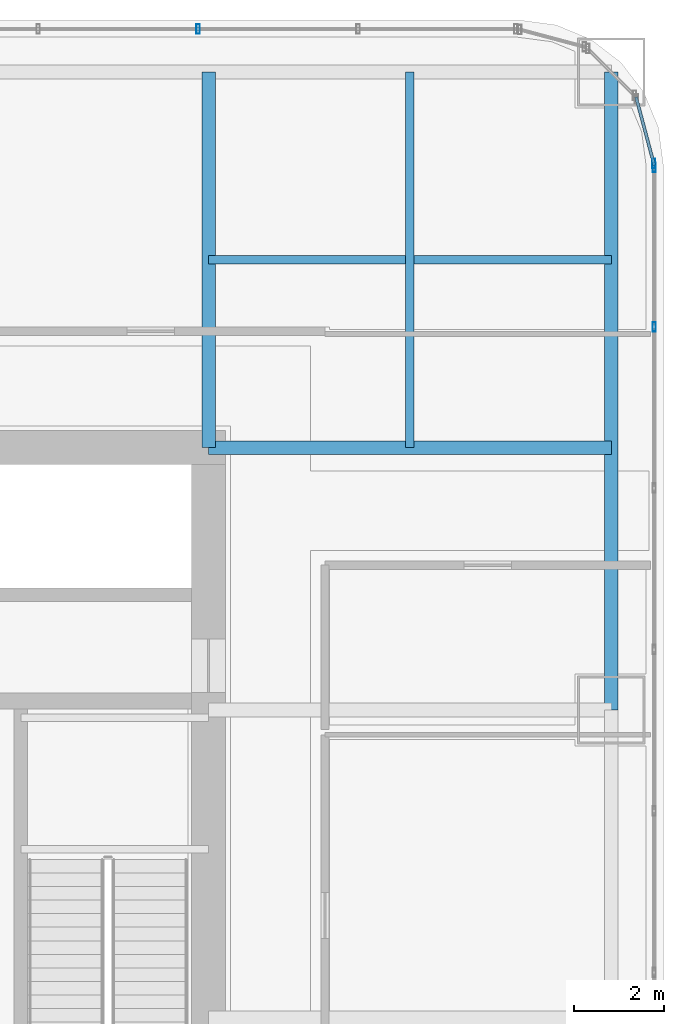
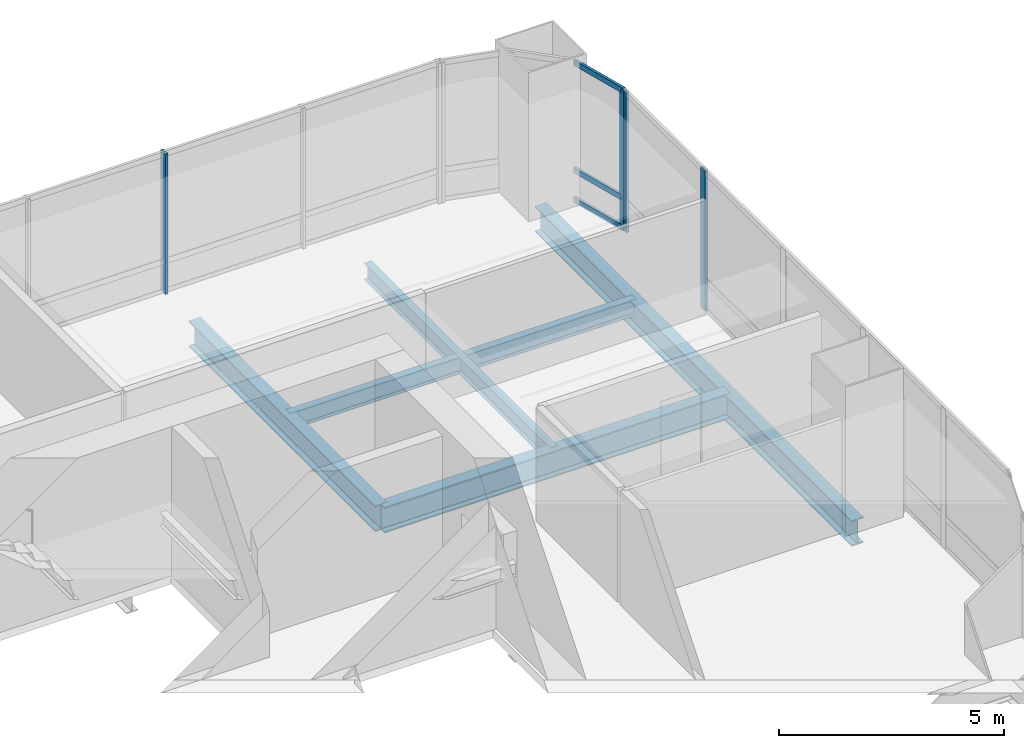
# One storey, part 24 of 35: 7 members, 5 beams, 3 elements without a shape of their own.
"""IFC4 building model written with IfcOpenShell, lengths in metres."""

from ifc_helpers import new_model, si_unit, direction, frame, origin, origin_2d, place, context, subcontext, project, spatial, hollow_rectangle, i_section, extrude, material, material_profile, profile_set, type_object, element, aggregate, save


model = new_model("IFC4")

# Units and contexts
model_context = context("Model", 3, precision=1e-05, world=origin(), true_north=direction((0.0, 1.0)))
body_context = subcontext(model_context, "Body", "Model", "MODEL_VIEW")
ifc_project = project(units=[si_unit("LENGTHUNIT", "METRE"), si_unit("AREAUNIT", "SQUARE_METRE"), si_unit("VOLUMEUNIT", "CUBIC_METRE"), si_unit("PLANEANGLEUNIT", "RADIAN"), si_unit("MASSUNIT", "GRAM", prefix="KILO")], contexts=[model_context])

# Site, building, storey
site_placement = place(None, origin())
site = spatial("IfcSite", under=ifc_project, at=site_placement, CompositionType="ELEMENT")
building_placement = place(site_placement, origin())
building = spatial("IfcBuilding", under=site, at=building_placement, Name="Punatoya Terracotta Tower", CompositionType="ELEMENT")
storey_placement = place(building_placement, frame((0.0, 0.0, 52.5)))
storey = spatial("IfcBuildingStorey", under=building, at=storey_placement, Name="L11", CompositionType="ELEMENT", Elevation=52.5)

# Beams
ifc_material_1 = material(Name="Steel S355", Category="steel")
ifc_material_profile_1 = material_profile(ifc_material_1, i_section(OverallWidth=0.300048828125, OverallDepth=0.699951171875, WebThickness=0.01708984375, FlangeThickness=0.031982421875, FilletRadius=0.01806640625, at=origin_2d()))
ifc_profile_set_1 = profile_set([ifc_material_profile_1], Name="Steel S355")
beam_type_1 = type_object("IfcBeamType", Name="BM-PRI-700", PredefinedType="BEAM", material=ifc_profile_set_1)
beam_1_placement = place(storey_placement, frame((19.10009765625, 3.39990234375, -0.590087890625), z_axis=(0.0, 1.0, 0.0), x_axis=(-1.0, 0.0, 0.0)))
element("IfcBeam", 1, at=beam_1_placement, inside=storey, type_object=beam_type_1, Name="BM-L11-RG-E3", PredefinedType="BEAM", context=body_context, shape_type="SweptSolid", body=[
    extrude(i_section(OverallWidth=0.300048828125, OverallDepth=0.699951171875, WebThickness=0.01708984375, FlangeThickness=0.031982421875, FilletRadius=0.01806640625, at=origin_2d()), origin(), (0.0, 0.0, 1.0), 14.10009765625),
])
beam_2_placement = place(storey_placement, frame((10.199951171875, 9.199951171875, -0.590087890625), z_axis=(1.0, 0.0, 0.0), x_axis=(0.0, 1.0, 0.0)))
element("IfcBeam", 2, at=beam_2_placement, inside=storey, type_object=beam_type_1, Name="BM-L11-PR-EN", PredefinedType="BEAM", context=body_context, shape_type="SweptSolid", body=[
    extrude(i_section(OverallWidth=0.300048828125, OverallDepth=0.699951171875, WebThickness=0.01708984375, FlangeThickness=0.031982421875, FilletRadius=0.01806640625, at=origin_2d()), origin(), (0.0, 0.0, 1.0), 8.900146484375),
])
beam_3_placement = place(storey_placement, frame((10.199951171875, 9.199951171875, -0.590087890625), z_axis=(0.0, 1.0, 0.0), x_axis=(-1.0, 0.0, 0.0)))
element("IfcBeam", 3, at=beam_3_placement, inside=storey, type_object=beam_type_1, Name="BM-L11-PR-N4", PredefinedType="BEAM", context=body_context, shape_type="SweptSolid", body=[
    extrude(i_section(OverallWidth=0.300048828125, OverallDepth=0.699951171875, WebThickness=0.01708984375, FlangeThickness=0.031982421875, FilletRadius=0.01806640625, at=origin_2d()), origin(), (0.0, 0.0, 1.0), 8.300048828125),
])
ifc_material_profile_2 = material_profile(ifc_material_1, i_section(OverallWidth=0.18994140625, OverallDepth=0.449951171875, WebThickness=0.009521484375, FlangeThickness=0.0146484375, FilletRadius=0.01806640625, at=origin_2d()))
ifc_profile_set_2 = profile_set([ifc_material_profile_2], Name="Steel S355")
beam_type_2 = type_object("IfcBeamType", Name="BM-SEC-450", PredefinedType="JOIST", material=ifc_profile_set_2)
beam_4_placement = place(storey_placement, frame((10.199951171875, 13.35009765625, -0.465087890625), z_axis=(1.0, 0.0, 0.0), x_axis=(0.0, 1.0, 0.0)))
element("IfcBeam", 4, at=beam_4_placement, inside=storey, type_object=beam_type_2, Name="BM-L11-SJN-2", PredefinedType="JOIST", context=body_context, shape_type="SweptSolid", body=[
    extrude(i_section(OverallWidth=0.18994140625, OverallDepth=0.449951171875, WebThickness=0.009521484375, FlangeThickness=0.0146484375, FilletRadius=0.01806640625, at=origin_2d()), origin(), (0.0, 0.0, 1.0), 8.900146484375),
])
beam_5_placement = place(storey_placement, frame((14.64990234375, 9.199951171875, -0.465087890625), z_axis=(0.0, 1.0, 0.0), x_axis=(-1.0, 0.0, 0.0)))
element("IfcBeam", 5, at=beam_5_placement, inside=storey, type_object=beam_type_2, Name="BM-L11-SJE-2", PredefinedType="JOIST", context=body_context, shape_type="SweptSolid", body=[
    extrude(i_section(OverallWidth=0.18994140625, OverallDepth=0.449951171875, WebThickness=0.009521484375, FlangeThickness=0.0146484375, FilletRadius=0.01806640625, at=origin_2d()), origin(), (0.0, 0.0, 1.0), 8.300048828125),
])

# Curtain wall, members
ifc_material_2 = material(Name="Aluminium 6063-T6 + Double Low-E Glass", Category="aluminium")
curtain_wall_type = type_object("IfcCurtainWallType", Name="CW-M1", PredefinedType="NOTDEFINED", material=ifc_material_2)
curtain_wall_1_placement = place(storey_placement, origin())
curtain_wall_1 = element("IfcCurtainWall", 6, at=curtain_wall_1_placement, inside=storey, type_object=curtain_wall_type, Name="L11 Curtain Wall CW-L11-E05-1", PredefinedType="NOTDEFINED")
ifc_material_3 = material(Name="Aluminium 6063-T6", Category="aluminium")
ifc_material_profile_3 = material_profile(ifc_material_3, hollow_rectangle(XDim=0.074951171875, YDim=0.2099609375, WallThickness=0.00439453125, at=origin_2d()))
ifc_profile_set_3 = profile_set([ifc_material_profile_3], Name="Aluminium 6063-T6")
member_type_1 = type_object("IfcMemberType", Name="CW-MUL-M1", PredefinedType="MULLION", material=ifc_profile_set_3)
member_1_placement = place(storey_placement, frame((20.050048828125, 11.869384765625, 0.0), z_axis=(0.0, 0.0, 1.0), x_axis=(1.0, 0.0, 0.0)))
member_1 = element("IfcMember", 7, at=member_1_placement, type_object=member_type_1, Name="CW-L11-E05-1 Mullion 09", PredefinedType="MULLION", context=body_context, shape_type="SweptSolid", body=[
    extrude(hollow_rectangle(XDim=0.074951171875, YDim=0.2099609375, WallThickness=0.00439453125, at=origin_2d()), origin(), (0.0, 0.0, 1.0), 3.81005859375),
])
member_2_placement = place(storey_placement, frame((20.050048828125, 15.391845703125, 0.0), z_axis=(0.0, 0.0, 1.0), x_axis=(1.0, 0.0, 0.0)))
member_2 = element("IfcMember", 8, at=member_2_placement, type_object=member_type_1, Name="CW-L11-E05-1 Mullion 10", PredefinedType="MULLION", context=body_context, shape_type="SweptSolid", body=[
    extrude(hollow_rectangle(XDim=0.074951171875, YDim=0.2099609375, WallThickness=0.00439453125, at=origin_2d()), origin(), (0.0, 0.0, 1.0), 3.81005859375),
])
aggregate(curtain_wall_1, [member_1, member_2])

# Curtain wall, member
curtain_wall_2_placement = place(storey_placement, origin())
curtain_wall_2 = element("IfcCurtainWall", 9, at=curtain_wall_2_placement, inside=storey, type_object=curtain_wall_type, Name="L11 Curtain Wall CW-L11-CRN06", PredefinedType="NOTDEFINED")
member_3_placement = place(storey_placement, frame((20.038330078125, 15.48046875, 0.0), z_axis=(0.0, 0.0, 1.0), x_axis=(1.0, 0.0, 0.0)))
member_3 = element("IfcMember", 10, at=member_3_placement, type_object=member_type_1, Name="CW-L11-CRN06 Mullion 00", PredefinedType="MULLION", context=body_context, shape_type="SweptSolid", body=[
    extrude(hollow_rectangle(XDim=0.074951171875, YDim=0.2099609375, WallThickness=0.00439453125, at=origin_2d()), origin(), (0.0, 0.0, 1.0), 3.81005859375),
])

curtain_wall_3_placement = place(storey_placement, origin())
curtain_wall_3 = element("IfcCurtainWall", 11, at=curtain_wall_3_placement, inside=storey, type_object=curtain_wall_type, Name="L11 Curtain Wall CW-L11-N09-1", PredefinedType="NOTDEFINED")
member_4_placement = place(storey_placement, frame((9.968994140625, 18.449951171875, 0.0), z_axis=(0.0, 0.0, 1.0), x_axis=(1.0, 0.0, 0.0)))
member_4 = element("IfcMember", 12, at=member_4_placement, type_object=member_type_1, Name="CW-L11-N09-1 Mullion 02", PredefinedType="MULLION", context=body_context, shape_type="SweptSolid", body=[
    extrude(hollow_rectangle(XDim=0.074951171875, YDim=0.2099609375, WallThickness=0.00439453125, at=origin_2d()), origin(), (0.0, 0.0, 1.0), 3.81005859375),
])
aggregate(curtain_wall_3, [member_4])

# Member
ifc_material_profile_4 = material_profile(ifc_material_3, hollow_rectangle(XDim=0.068115234375, YDim=0.14990234375, WallThickness=0.00390625, at=origin_2d()))
ifc_profile_set_4 = profile_set([ifc_material_profile_4], Name="Aluminium 6063-T6")
member_type_2 = type_object("IfcMemberType", Name="CW-TRN-TYP", PredefinedType="USERDEFINED", material=ifc_profile_set_4)
member_5_placement = place(storey_placement, frame((20.050048828125, 15.43701171875, 0.0400390625), z_axis=(-0.257847112249, 0.966185730957, 0.0), x_axis=(-0.966185730957, -0.257847112249, 0.0)))
member_5 = element("IfcMember", 13, at=member_5_placement, type_object=member_type_2, Name="CW-L11-CRN06 Transom 1", ObjectType="TRANSOM", PredefinedType="USERDEFINED", context=body_context, shape_type="SweptSolid", body=[
    extrude(hollow_rectangle(XDim=0.068115234375, YDim=0.14990234375, WallThickness=0.00390625, at=origin_2d()), origin(), (0.0, 0.0, 1.0), 1.565185546875),
])

member_6_placement = place(storey_placement, frame((20.050048828125, 15.43701171875, 0.85009765625), z_axis=(-0.257847112249, 0.966185730957, 0.0), x_axis=(-0.966185730957, -0.257847112249, 0.0)))
member_6 = element("IfcMember", 14, at=member_6_placement, type_object=member_type_2, Name="CW-L11-CRN06 Transom 2", ObjectType="TRANSOM", PredefinedType="USERDEFINED", context=body_context, shape_type="SweptSolid", body=[
    extrude(hollow_rectangle(XDim=0.068115234375, YDim=0.14990234375, WallThickness=0.00390625, at=origin_2d()), origin(), (0.0, 0.0, 1.0), 1.565185546875),
])

member_7_placement = place(storey_placement, frame((20.050048828125, 15.43701171875, 3.77001953125), z_axis=(-0.257847112249, 0.966185730957, 0.0), x_axis=(-0.966185730957, -0.257847112249, 0.0)))
member_7 = element("IfcMember", 15, at=member_7_placement, type_object=member_type_2, Name="CW-L11-CRN06 Transom 3", ObjectType="TRANSOM", PredefinedType="USERDEFINED", context=body_context, shape_type="SweptSolid", body=[
    extrude(hollow_rectangle(XDim=0.068115234375, YDim=0.14990234375, WallThickness=0.00390625, at=origin_2d()), origin(), (0.0, 0.0, 1.0), 1.565185546875),
])

aggregate(curtain_wall_2, [member_3, member_5, member_6, member_7])

save(model, "model.ifc")
